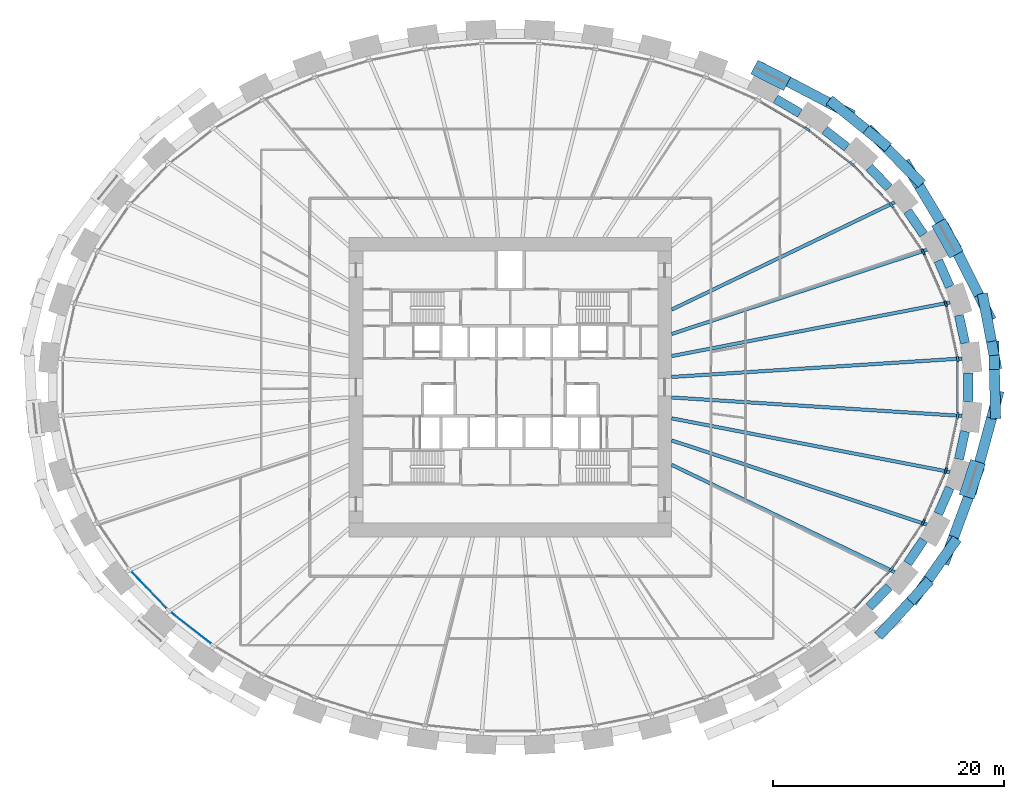
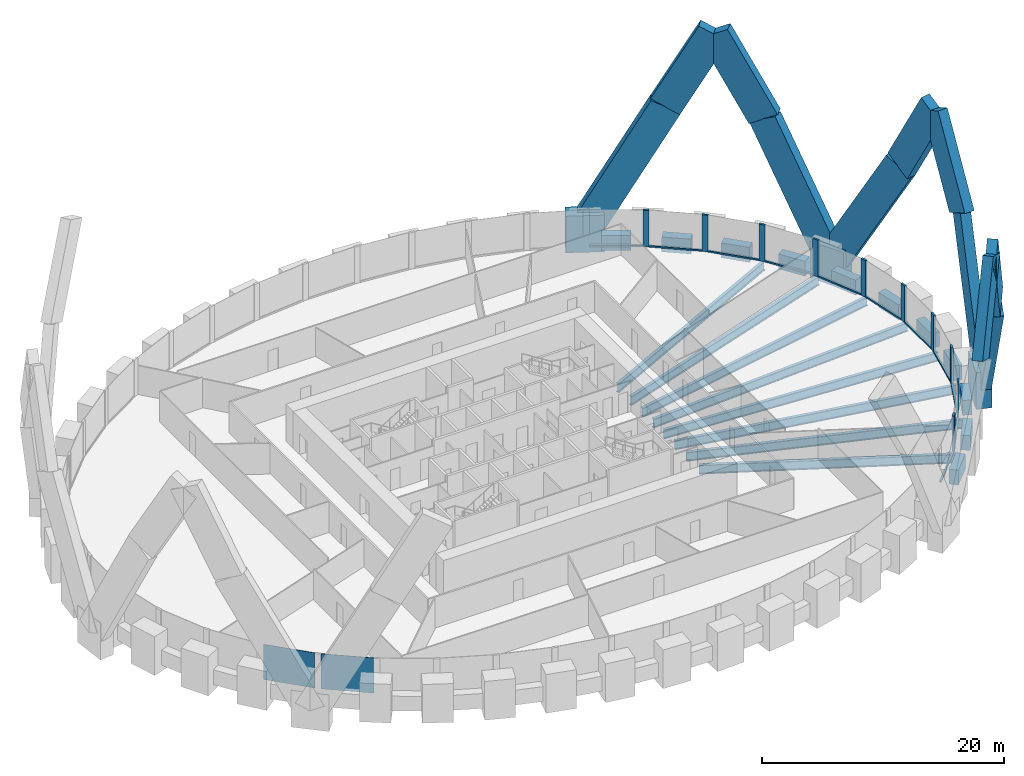
# One storey, part 4 of 12: 35 members, 19 beams, 2 plates, 1 element without a shape of its own.
"""IFC4 building model written with IfcOpenShell, lengths in metres."""

from ifc_helpers import new_model, si_unit, direction, frame, origin, origin_2d, place, context, subcontext, project, spatial, rectangle, i_section, extrude, source, transform, mapped, material, layer, layer_set, material_profile, profile_set, type_object, element, aggregate, save


model = new_model("IFC4")

# Units and contexts
model_context = context("Model", 3, precision=1e-05, world=origin(), true_north=direction((0.0, 1.0)))
body_context = subcontext(model_context, "Body", "Model", "MODEL_VIEW")
ifc_project = project(units=[si_unit("LENGTHUNIT", "METRE"), si_unit("AREAUNIT", "SQUARE_METRE"), si_unit("VOLUMEUNIT", "CUBIC_METRE"), si_unit("PLANEANGLEUNIT", "RADIAN"), si_unit("MASSUNIT", "GRAM", prefix="KILO")], contexts=[model_context])

# Site, building, storey
site_placement = place(None, origin())
site = spatial("IfcSite", under=ifc_project, at=site_placement, CompositionType="ELEMENT")
building_placement = place(site_placement, origin())
building = spatial("IfcBuilding", under=site, at=building_placement, Name="Embergate Tower", CompositionType="ELEMENT")
storey_placement = place(building_placement, frame((0.0, 0.0, 45.800048828125)))
storey = spatial("IfcBuildingStorey", under=building, at=storey_placement, Name="L07", CompositionType="ELEMENT", Elevation=45.800048828125)

# Beams
ifc_material_1 = material(Name="Concrete C70", Category="concrete")
ifc_material_profile_1 = material_profile(ifc_material_1, rectangle(XDim=0.800048828125, YDim=1.5, at=origin_2d()), Name="RC 800x1500")
ifc_profile_set_1 = profile_set([ifc_material_profile_1], Name="Concrete C70")
beam_type_1 = type_object("IfcBeamType", Name="Spandrel beam RC 800x1500 C70", PredefinedType="BEAM", material=ifc_profile_set_1)
shared_shape_1 = source(origin(), body_context, "Body", "SweptSolid", [
    extrude(rectangle(XDim=0.800048828125, YDim=1.5, at=origin_2d()), origin(), (0.0, 0.0, 1.0), 2.47412109375),
])
for number, where, z_axis, x_axis, name in (
    (1, (39.444091796875, 3.823974609375, 0.0), (-0.210175960292, 0.977663574915, 0.0), (-0.977663574915, -0.210175960292, 0.0), "SPN-L07-00"),
    (2, (38.924072265625, -6.242919921875, 0.0), (0.210175960292, 0.977663574915, 0.0), (-0.977663574915, 0.210175960292, 0.0), "SPN-L07-42"),
):
    element("IfcBeam", number, at=place(storey_placement, frame(where, z_axis=z_axis, x_axis=x_axis)), inside=storey, type_object=beam_type_1, Name=name, PredefinedType="BEAM", context=body_context, shape_type="MappedRepresentation", body=[
        mapped(shared_shape_1, transform((0.0, 0.0, 0.0))),
    ])
shared_shape_2 = source(origin(), body_context, "Body", "SweptSolid", [
    extrude(rectangle(XDim=0.800048828125, YDim=1.5, at=origin_2d()), origin(), (0.0, 0.0, 1.0), 2.470703125),
])
for number, where, z_axis, x_axis, name in (
    (3, (38.1240234375, 8.717041015625, 0.0), (-0.401466670854, 0.915873633311, 0.0), (-0.915873633311, -0.401466670854, 0.0), "SPN-L07-01"),
    (4, (37.132080078125, -10.97998046875, 0.0), (0.401466670854, 0.915873633311, 0.0), (-0.915873633311, 0.401466670854, 0.0), "SPN-L07-41"),
):
    element("IfcBeam", number, at=place(storey_placement, frame(where, z_axis=z_axis, x_axis=x_axis)), inside=storey, type_object=beam_type_1, Name=name, PredefinedType="BEAM", context=body_context, shape_type="MappedRepresentation", body=[
        mapped(shared_shape_2, transform((0.0, 0.0, 0.0))),
    ])
shared_shape_3 = source(origin(), body_context, "Body", "SweptSolid", [
    extrude(rectangle(XDim=0.800048828125, YDim=1.5, at=origin_2d()), origin(), (0.0, 0.0, 1.0), 2.46240234375),
])
for number, where, z_axis, x_axis, name in (
    (5, (35.85595703125, 13.2451171875, 0.0), (-0.562478152622, 0.826812147844, 0.0), (-0.826812147844, -0.562478152622, 0.0), "SPN-L07-02"),
    (6, (34.470947265625, -15.281005859375, 0.0), (0.562478152622, 0.826812147844, 0.0), (-0.826812147844, 0.562478152622, 0.0), "SPN-L07-40"),
):
    element("IfcBeam", number, at=place(storey_placement, frame(where, z_axis=z_axis, x_axis=x_axis)), inside=storey, type_object=beam_type_1, Name=name, PredefinedType="BEAM", context=body_context, shape_type="MappedRepresentation", body=[
        mapped(shared_shape_3, transform((0.0, 0.0, 0.0))),
    ])
shared_shape_4 = source(origin(), body_context, "Body", "SweptSolid", [
    extrude(rectangle(XDim=0.800048828125, YDim=1.5, at=origin_2d()), origin(), (0.0, 0.0, 1.0), 2.454345703125),
])
for number, where, z_axis, x_axis, name in (
    (7, (32.837890625, 17.303955078125, 0.0), (-0.690146821467, 0.723669375349, 0.0), (-0.723669375349, -0.690146821467, 0.0), "SPN-L07-03"),
    (8, (31.14404296875, -19.080078125, 0.0), (0.690146821467, 0.723669375349, 0.0), (-0.723669375349, 0.690146821467, 0.0), "SPN-L07-39"),
):
    element("IfcBeam", number, at=place(storey_placement, frame(where, z_axis=z_axis, x_axis=x_axis)), inside=storey, type_object=beam_type_1, Name=name, PredefinedType="BEAM", context=body_context, shape_type="MappedRepresentation", body=[
        mapped(shared_shape_4, transform((0.0, 0.0, 0.0))),
    ])
shared_shape_5 = source(origin(), body_context, "Body", "SweptSolid", [
    extrude(rectangle(XDim=0.800048828125, YDim=1.5, at=origin_2d()), origin(), (0.0, 0.0, 1.0), 2.446533203125),
])
beam_1_placement = place(storey_placement, frame((29.202880859375, 20.81005859375, 0.0), z_axis=(-0.788443262058, 0.615107488587, 0.0), x_axis=(-0.615107488587, -0.788443262058, 0.0)))
element("IfcBeam", 9, at=beam_1_placement, inside=storey, type_object=beam_type_1, Name="SPN-L07-04", PredefinedType="BEAM", context=body_context, shape_type="MappedRepresentation", body=[
    mapped(shared_shape_5, transform((0.0, 0.0, 0.0))),
])
shared_shape_6 = source(origin(), body_context, "Body", "SweptSolid", [
    extrude(rectangle(XDim=0.800048828125, YDim=1.5, at=origin_2d()), origin(), (0.0, 0.0, 1.0), 2.440673828125),
])
beam_2_placement = place(storey_placement, frame((25.1240234375, 23.777099609375, 0.0), z_axis=(-0.86208332714, 0.506766550857, 0.0), x_axis=(-0.506766550857, -0.86208332714, 0.0)))
element("IfcBeam", 10, at=beam_2_placement, inside=storey, type_object=beam_type_1, Name="SPN-L07-05", PredefinedType="BEAM", context=body_context, shape_type="MappedRepresentation", body=[
    mapped(shared_shape_6, transform((0.0, 0.0, 0.0))),
])
shared_shape_7 = source(origin(), body_context, "Body", "SweptSolid", [
    extrude(rectangle(XDim=0.800048828125, YDim=1.5, at=origin_2d()), origin(), (0.0, 0.0, 1.0), 2.47802734375),
])
beam_3_placement = place(storey_placement, frame((39.719970703125, -1.239013671875, 0.0), z_axis=(0.0, 1.0, 0.0), x_axis=(-1.0, 0.0, 0.0)))
element("IfcBeam", 11, at=beam_3_placement, inside=storey, type_object=beam_type_1, Name="SPN-L07-43", PredefinedType="BEAM", context=body_context, shape_type="MappedRepresentation", body=[
    mapped(shared_shape_7, transform((0.0, 0.0, 0.0))),
])
ifc_material_2 = material(Name="Steel Q355B", Category="steel")
ifc_material_profile_2 = material_profile(ifc_material_2, i_section(OverallWidth=0.300048828125, OverallDepth=0.89990234375, WebThickness=0.01611328125, FlangeThickness=0.028076171875, FilletRadius=0.028076171875, at=origin_2d()), Name="HN 900x300x16x28")
ifc_profile_set_2 = profile_set([ifc_material_profile_2], Name="Steel Q355 grade B")
beam_type_2 = type_object("IfcBeamType", Name="Radial girder HN 900x300x16x28", PredefinedType="BEAM", material=ifc_profile_set_2)
shared_shape_8 = source(origin(), body_context, "Body", "SweptSolid", [
    extrude(i_section(OverallWidth=0.300048828125, OverallDepth=0.89990234375, WebThickness=0.01611328125, FlangeThickness=0.028076171875, FilletRadius=0.028076171875, at=origin_2d()), origin(), (0.0, 0.0, 1.0), 25.250732421875),
])
for number, where, z_axis, x_axis, name in (
    (12, (39.199951171875, 2.490966796875, -0.650146484375), (-0.997987753724, -0.063406966633, 0.0), (0.063406966633, -0.997987753724, 0.0), "GIR-L07-00"),
    (13, (39.199951171875, -2.490966796875, -0.650146484375), (-0.997987753724, 0.063406966633, 0.0), (-0.063406966633, -0.997987753724, 0.0), "GIR-L07-43"),
):
    element("IfcBeam", number, at=place(storey_placement, frame(where, z_axis=z_axis, x_axis=x_axis)), inside=storey, type_object=beam_type_2, Name=name, PredefinedType="BEAM", context=body_context, shape_type="MappedRepresentation", body=[
        mapped(shared_shape_8, transform((0.0, 0.0, 0.0))),
    ])
shared_shape_9 = source(origin(), body_context, "Body", "SweptSolid", [
    extrude(i_section(OverallWidth=0.300048828125, OverallDepth=0.89990234375, WebThickness=0.01611328125, FlangeThickness=0.028076171875, FilletRadius=0.028076171875, at=origin_2d()), origin(), (0.0, 0.0, 1.0), 24.59619140625),
])
for number, where, z_axis, x_axis, name in (
    (14, (38.15087890625, 7.35888671875, -0.650146484375), (-0.981896685323, -0.18941726255, 0.0), (0.18941726255, -0.981896685323, 0.0), "GIR-L07-01"),
    (15, (38.15087890625, -7.35888671875, -0.650146484375), (-0.981896685323, 0.18941726255, 0.0), (-0.18941726255, -0.981896685323, 0.0), "GIR-L07-42"),
):
    element("IfcBeam", number, at=place(storey_placement, frame(where, z_axis=z_axis, x_axis=x_axis)), inside=storey, type_object=beam_type_2, Name=name, PredefinedType="BEAM", context=body_context, shape_type="MappedRepresentation", body=[
        mapped(shared_shape_9, transform((0.0, 0.0, 0.0))),
    ])
shared_shape_10 = source(origin(), body_context, "Body", "SweptSolid", [
    extrude(i_section(OverallWidth=0.300048828125, OverallDepth=0.89990234375, WebThickness=0.01611328125, FlangeThickness=0.028076171875, FilletRadius=0.028076171875, at=origin_2d()), origin(), (0.0, 0.0, 1.0), 23.324462890625),
])
for number, where, z_axis, x_axis, name in (
    (16, (36.15087890625, 11.922119140625, -0.650146484375), (-0.949687504939, -0.313199046873, 0.0), (0.313199046873, -0.949687504939, 0.0), "GIR-L07-02"),
    (17, (36.15087890625, -11.922119140625, -0.650146484375), (-0.949687504939, 0.313199046873, 0.0), (-0.313199046873, -0.949687504939, 0.0), "GIR-L07-41"),
):
    element("IfcBeam", number, at=place(storey_placement, frame(where, z_axis=z_axis, x_axis=x_axis)), inside=storey, type_object=beam_type_2, Name=name, PredefinedType="BEAM", context=body_context, shape_type="MappedRepresentation", body=[
        mapped(shared_shape_10, transform((0.0, 0.0, 0.0))),
    ])
shared_shape_11 = source(origin(), body_context, "Body", "SweptSolid", [
    extrude(i_section(OverallWidth=0.300048828125, OverallDepth=0.89990234375, WebThickness=0.01611328125, FlangeThickness=0.028076171875, FilletRadius=0.028076171875, at=origin_2d()), origin(), (0.0, 0.0, 1.0), 21.470458984375),
])
for number, where, z_axis, x_axis, name in (
    (18, (33.347900390625, 16.04296875, -0.650146484375), (-0.901143518966, -0.43352088557, 0.0), (0.43352088557, -0.901143518966, 0.0), "GIR-L07-03"),
    (19, (33.347900390625, -16.04296875, -0.650146484375), (-0.901143518966, 0.43352088557, 0.0), (-0.43352088557, -0.901143518966, 0.0), "GIR-L07-40"),
):
    element("IfcBeam", number, at=place(storey_placement, frame(where, z_axis=z_axis, x_axis=x_axis)), inside=storey, type_object=beam_type_2, Name=name, PredefinedType="BEAM", context=body_context, shape_type="MappedRepresentation", body=[
        mapped(shared_shape_11, transform((0.0, 0.0, 0.0))),
    ])

# Members
ifc_material_profile_3 = material_profile(ifc_material_1, rectangle(XDim=1.35009765625, YDim=3.199951171875, at=origin_2d()), Name="RC 1350x3200")
ifc_profile_set_3 = profile_set([ifc_material_profile_3], Name="Concrete C70")
member_type_1 = type_object("IfcMemberType", Name="Lattice node block RC 1350x3200", PredefinedType="POST", material=ifc_profile_set_3)
shared_shape_12 = source(origin(), body_context, "Body", "SweptSolid", [
    extrude(rectangle(XDim=1.35009765625, YDim=3.199951171875, at=origin_2d()), origin(), (0.0, 0.0, 1.0), 3.699951171875),
])
for number, where, z_axis, x_axis, name in (
    (20, (37.919921875, 12.907958984375, -1.85009765625), (0.0, 0.0, 1.0), (0.873491969053, 0.486838556403, 0.0), "NOD-L07-02"),
    (21, (22.596923828125, 27.051025390625, -1.85009765625), (0.0, 0.0, 1.0), (0.452994952881, 0.891513080478, 0.0), "NOD-L07-06"),
    (22, (40.076904296875, -7.987060546875, -1.85009765625), (0.0, 0.0, 1.0), (0.950754033697, -0.309946394413, 0.0), "NOD-L07-42"),
):
    element("IfcMember", number, at=place(storey_placement, frame(where, z_axis=z_axis, x_axis=x_axis)), inside=storey, type_object=member_type_1, Name=name, PredefinedType="POST", context=body_context, shape_type="MappedRepresentation", body=[
        mapped(shared_shape_12, transform((0.0, 0.0, 0.0))),
    ])
ifc_material_profile_4 = material_profile(ifc_material_1, rectangle(XDim=0.89990234375, YDim=2.800048828125, at=origin_2d()), Name="RC 900x2800")
ifc_profile_set_4 = profile_set([ifc_material_profile_4], Name="Concrete C70")
member_type_2 = type_object("IfcMemberType", Name="Lattice diagonal terracotta-faced RC 900x2800", PredefinedType="BRACE", material=ifc_profile_set_4)
shared_shape_13 = source(origin(), body_context, "Body", "SweptSolid", [
    extrude(rectangle(XDim=0.89990234375, YDim=2.800048828125, at=origin_2d()), origin(), (0.0, 0.0, 1.0), 14.07080078125),
])
member_1_placement = place(storey_placement, frame((38.115966796875, 13.01708984375, 0.0), z_axis=(0.217891534391, -0.43403063647, 0.874151408994), x_axis=(0.893704346302, 0.44865637341, 0.0)))
element("IfcMember", 23, at=member_1_placement, inside=storey, type_object=member_type_2, Name="BRC-L07-02-00-S00", PredefinedType="BRACE", context=body_context, shape_type="MappedRepresentation", body=[
    mapped(shared_shape_13, transform((0.0, 0.0, 0.0))),
])
shared_shape_14 = source(origin(), body_context, "Body", "SweptSolid", [
    extrude(rectangle(XDim=0.89990234375, YDim=2.800048828125, at=origin_2d()), origin(), (0.0, 0.0, 1.0), 8.869140625),
])
member_2_placement = place(storey_placement, frame((41.181884765625, 6.909912109375, 12.300048828125), z_axis=(0.088746790602, -0.467682373549, 0.87943004533), x_axis=(0.982467902173, 0.186431813808, 0.0)))
element("IfcMember", 24, at=member_2_placement, inside=storey, type_object=member_type_2, Name="BRC-L07-02-00-S01", PredefinedType="BRACE", context=body_context, shape_type="MappedRepresentation", body=[
    mapped(shared_shape_14, transform((0.0, 0.0, 0.0))),
])
shared_shape_15 = source(origin(), body_context, "Body", "SweptSolid", [
    extrude(rectangle(XDim=0.89990234375, YDim=2.800048828125, at=origin_2d()), origin(), (0.0, 0.0, 1.0), 13.869140625),
])
member_3_placement = place(storey_placement, frame((38.115966796875, 13.01708984375, 0.0), z_axis=(-0.236637648209, 0.396842902716, 0.886858688864), x_axis=(-0.858891541904, -0.512157514097, 0.0)))
element("IfcMember", 25, at=member_3_placement, inside=storey, type_object=member_type_2, Name="BRC-L07-02-04-S00", PredefinedType="BRACE", context=body_context, shape_type="MappedRepresentation", body=[
    mapped(shared_shape_15, transform((0.0, 0.0, 0.0))),
])
shared_shape_16 = source(origin(), body_context, "Body", "SweptSolid", [
    extrude(rectangle(XDim=0.89990234375, YDim=2.800048828125, at=origin_2d()), origin(), (0.0, 0.0, 1.0), 8.901123046875),
])
member_4_placement = place(storey_placement, frame((34.833984375, 18.52099609375, 12.300048828125), z_axis=(-0.338051350839, 0.343317546324, 0.876272986336), x_axis=(-0.712550619011, -0.701620706185, 0.0)))
element("IfcMember", 26, at=member_4_placement, inside=storey, type_object=member_type_2, Name="BRC-L07-02-04-S01", PredefinedType="BRACE", context=body_context, shape_type="MappedRepresentation", body=[
    mapped(shared_shape_16, transform((0.0, 0.0, 0.0))),
])
shared_shape_17 = source(origin(), body_context, "Body", "SweptSolid", [
    extrude(rectangle(XDim=0.89990234375, YDim=2.800048828125, at=origin_2d()), origin(), (0.0, 0.0, 1.0), 14.01416015625),
])
member_5_placement = place(storey_placement, frame((22.698974609375, 27.2509765625, 0.0), z_axis=(0.424708051494, -0.221996583133, 0.87769048535), x_axis=(0.463237987122, 0.88623392357, 0.0)))
element("IfcMember", 27, at=member_5_placement, inside=storey, type_object=member_type_2, Name="BRC-L07-06-04-S00", PredefinedType="BRACE", context=body_context, shape_type="MappedRepresentation", body=[
    mapped(shared_shape_17, transform((0.0, 0.0, 0.0))),
])
shared_shape_18 = source(origin(), body_context, "Body", "SweptSolid", [
    extrude(rectangle(XDim=0.89990234375, YDim=2.800048828125, at=origin_2d()), origin(), (0.0, 0.0, 1.0), 8.80224609375),
])
member_6_placement = place(storey_placement, frame((28.65087890625, 24.139892578125, 12.300048828125), z_axis=(0.360595523981, -0.2911723568, 0.886109206995), x_axis=(0.628235416254, 0.778023304127, 0.0)))
element("IfcMember", 28, at=member_6_placement, inside=storey, type_object=member_type_2, Name="BRC-L07-06-04-S01", PredefinedType="BRACE", context=body_context, shape_type="MappedRepresentation", body=[
    mapped(shared_shape_18, transform((0.0, 0.0, 0.0))),
])
shared_shape_19 = source(origin(), body_context, "Body", "SweptSolid", [
    extrude(rectangle(XDim=0.89990234375, YDim=2.800048828125, at=origin_2d()), origin(), (0.0, 0.0, 1.0), 8.8115234375),
])
member_7_placement = place(storey_placement, frame((32.778076171875, -20.68798828125, 12.300048828125), z_axis=(0.314700082581, 0.342629091495, 0.885194421404), x_axis=(-0.736486288651, 0.676452471818, 0.0)))
element("IfcMember", 29, at=member_7_placement, inside=storey, type_object=member_type_2, Name="BRC-L07-38-40-S01", PredefinedType="BRACE", context=body_context, shape_type="MappedRepresentation", body=[
    mapped(shared_shape_19, transform((0.0, 0.0, 0.0))),
])
shared_shape_20 = source(origin(), body_context, "Body", "SweptSolid", [
    extrude(rectangle(XDim=0.89990234375, YDim=2.800048828125, at=origin_2d()), origin(), (0.0, 0.0, 1.0), 14.048828125),
])
member_8_placement = place(storey_placement, frame((40.291015625, -8.056884765625, 0.0), z_axis=(0.126843022309, 0.466220660706, 0.875527922583), x_axis=(-0.964925490683, 0.262523898781, 0.0)))
element("IfcMember", 30, at=member_8_placement, inside=storey, type_object=member_type_2, Name="BRC-L07-42-00-S00", PredefinedType="BRACE", context=body_context, shape_type="MappedRepresentation", body=[
    mapped(shared_shape_20, transform((0.0, 0.0, 0.0))),
])
shared_shape_21 = source(origin(), body_context, "Body", "SweptSolid", [
    extrude(rectangle(XDim=0.89990234375, YDim=2.800048828125, at=origin_2d()), origin(), (0.0, 0.0, 1.0), 8.892333984375),
])
member_9_placement = place(storey_placement, frame((42.072998046875, -1.507080078125, 12.300048828125), z_axis=(-0.011695988217, 0.480084624336, 0.877144205553), x_axis=(-0.99970337006, -0.024355120419, 0.0)))
element("IfcMember", 31, at=member_9_placement, inside=storey, type_object=member_type_2, Name="BRC-L07-42-00-S01", PredefinedType="BRACE", context=body_context, shape_type="MappedRepresentation", body=[
    mapped(shared_shape_21, transform((0.0, 0.0, 0.0))),
])
shared_shape_22 = source(origin(), body_context, "Body", "SweptSolid", [
    extrude(rectangle(XDim=0.89990234375, YDim=2.800048828125, at=origin_2d()), origin(), (0.0, 0.0, 1.0), 13.908935546875),
])
member_10_placement = place(storey_placement, frame((40.291015625, -8.056884765625, 0.0), z_axis=(-0.161836441704, -0.437923794369, 0.88432557153), x_axis=(0.937997953607, -0.346640792507, 0.0)))
element("IfcMember", 32, at=member_10_placement, inside=storey, type_object=member_type_2, Name="BRC-L07-42-40-S00", PredefinedType="BRACE", context=body_context, shape_type="MappedRepresentation", body=[
    mapped(shared_shape_22, transform((0.0, 0.0, 0.0))),
])
shared_shape_23 = source(origin(), body_context, "Body", "SweptSolid", [
    extrude(rectangle(XDim=0.89990234375, YDim=2.800048828125, at=origin_2d()), origin(), (0.0, 0.0, 1.0), 8.912353515625),
])
member_11_placement = place(storey_placement, frame((38.0400390625, -14.14794921875, 12.300048828125), z_axis=(-0.279277671896, -0.395070385884, 0.875170481779), x_axis=(0.816573817125, -0.577241025211, 0.0)))
element("IfcMember", 33, at=member_11_placement, inside=storey, type_object=member_type_2, Name="BRC-L07-42-40-S01", PredefinedType="BRACE", context=body_context, shape_type="MappedRepresentation", body=[
    mapped(shared_shape_23, transform((0.0, 0.0, 0.0))),
])

# Curtain wall, members, plates
ifc_material_3 = material(Name="Aluminium and glass", Category="aluminium")
curtain_wall_type = type_object("IfcCurtainWallType", Name="Recessed office glazing", PredefinedType="NOTDEFINED", material=ifc_material_3)
curtain_wall_placement = place(storey_placement, origin())
curtain_wall = element("IfcCurtainWall", 34, at=curtain_wall_placement, inside=storey, type_object=curtain_wall_type, Name="Recessed office glazing ring", ObjectType="RECESSED OFFICE GLAZING", PredefinedType="USERDEFINED")
ifc_material_4 = material(Name="Aluminium, thermally broken", Category="aluminium")
ifc_material_profile_5 = material_profile(ifc_material_4, rectangle(XDim=0.179931640625, YDim=0.52001953125, at=origin_2d()), Name="AL 520x180")
ifc_profile_set_5 = profile_set([ifc_material_profile_5], Name="Aluminium, thermally broken")
member_type_3 = type_object("IfcMemberType", Name="Office mullion", PredefinedType="MULLION", material=ifc_profile_set_5)
shared_shape_24 = source(origin(), body_context, "Body", "SweptSolid", [
    extrude(rectangle(XDim=0.179931640625, YDim=0.52001953125, at=origin_2d()), origin(), (0.0, 0.0, 1.0), 3.699951171875),
])
member_12_placement = place(storey_placement, frame((38.811767578125, 2.448486328125, 0.0), z_axis=(0.0, 0.0, 1.0), x_axis=(-0.994385139431, -0.105821521816, 0.0)))
member_12 = element("IfcMember", 35, at=member_12_placement, type_object=member_type_3, Name="CW mullion 1", PredefinedType="MULLION", context=body_context, shape_type="MappedRepresentation", body=[
    mapped(shared_shape_24, transform((0.0, 0.0, 0.0))),
])
member_13_placement = place(storey_placement, frame((37.781005859375, 7.238525390625, 0.0), z_axis=(0.0, 0.0, 1.0), x_axis=(-0.95149940886, -0.307650572791, 0.0)))
member_13 = element("IfcMember", 36, at=member_13_placement, type_object=member_type_3, Name="CW mullion 2", PredefinedType="MULLION", context=body_context, shape_type="MappedRepresentation", body=[
    mapped(shared_shape_24, transform((0.0, 0.0, 0.0))),
])
member_14_placement = place(storey_placement, frame((35.81005859375, 11.732177734375, 0.0), z_axis=(0.0, 0.0, 1.0), x_axis=(-0.875004430664, -0.484114910242, 0.0)))
member_14 = element("IfcMember", 37, at=member_14_placement, type_object=member_type_3, Name="CW mullion 3", PredefinedType="MULLION", context=body_context, shape_type="MappedRepresentation", body=[
    mapped(shared_shape_24, transform((0.0, 0.0, 0.0))),
])
member_15_placement = place(storey_placement, frame((33.0458984375, 15.796875, 0.0), z_axis=(0.0, 0.0, 1.0), x_axis=(-0.777875854755, -0.628417977615, 0.0)))
member_15 = element("IfcMember", 38, at=member_15_placement, type_object=member_type_3, Name="CW mullion 4", PredefinedType="MULLION", context=body_context, shape_type="MappedRepresentation", body=[
    mapped(shared_shape_24, transform((0.0, 0.0, 0.0))),
])
member_16_placement = place(storey_placement, frame((29.647216796875, 19.360595703125, 0.0), z_axis=(0.0, 0.0, 1.0), x_axis=(-0.671229121411, -0.741249935292, 0.0)))
member_16 = element("IfcMember", 39, at=member_16_placement, type_object=member_type_3, Name="CW mullion 5", PredefinedType="MULLION", context=body_context, shape_type="MappedRepresentation", body=[
    mapped(shared_shape_24, transform((0.0, 0.0, 0.0))),
])
member_17_placement = place(storey_placement, frame((25.759521484375, 22.39501953125, 0.0), z_axis=(0.0, 0.0, 1.0), x_axis=(-0.562217618544, -0.826989328467, 0.0)))
member_17 = element("IfcMember", 40, at=member_17_placement, type_object=member_type_3, Name="CW mullion 6", PredefinedType="MULLION", context=body_context, shape_type="MappedRepresentation", body=[
    mapped(shared_shape_24, transform((0.0, 0.0, 0.0))),
])
member_18_placement = place(storey_placement, frame((33.0458984375, -15.796875, 0.0), z_axis=(0.0, 0.0, 1.0), x_axis=(-0.777875854755, 0.628417977615, 0.0)))
member_18 = element("IfcMember", 41, at=member_18_placement, type_object=member_type_3, Name="CW mullion 41", PredefinedType="MULLION", context=body_context, shape_type="MappedRepresentation", body=[
    mapped(shared_shape_24, transform((0.0, 0.0, 0.0))),
])
member_19_placement = place(storey_placement, frame((35.81005859375, -11.732177734375, 0.0), z_axis=(0.0, 0.0, 1.0), x_axis=(-0.875004430664, 0.484114910242, 0.0)))
member_19 = element("IfcMember", 42, at=member_19_placement, type_object=member_type_3, Name="CW mullion 42", PredefinedType="MULLION", context=body_context, shape_type="MappedRepresentation", body=[
    mapped(shared_shape_24, transform((0.0, 0.0, 0.0))),
])
member_20_placement = place(storey_placement, frame((37.781005859375, -7.238525390625, 0.0), z_axis=(0.0, 0.0, 1.0), x_axis=(-0.95149940886, 0.307650572791, 0.0)))
member_20 = element("IfcMember", 43, at=member_20_placement, type_object=member_type_3, Name="CW mullion 43", PredefinedType="MULLION", context=body_context, shape_type="MappedRepresentation", body=[
    mapped(shared_shape_24, transform((0.0, 0.0, 0.0))),
])
member_21_placement = place(storey_placement, frame((38.811767578125, -2.448486328125, 0.0), z_axis=(0.0, 0.0, 1.0), x_axis=(-0.994385139431, 0.105821521816, 0.0)))
member_21 = element("IfcMember", 44, at=member_21_placement, type_object=member_type_3, Name="CW mullion 44", PredefinedType="MULLION", context=body_context, shape_type="MappedRepresentation", body=[
    mapped(shared_shape_24, transform((0.0, 0.0, 0.0))),
])
ifc_material_profile_6 = material_profile(ifc_material_4, rectangle(XDim=0.179931640625, YDim=0.14990234375, at=origin_2d()), Name="AL 150x180")
ifc_profile_set_6 = profile_set([ifc_material_profile_6], Name="Aluminium, thermally broken")
member_type_4 = type_object("IfcMemberType", Name="Office sill transom", PredefinedType="USERDEFINED", material=ifc_profile_set_6)
shared_shape_25 = source(origin(), body_context, "Body", "SweptSolid", [
    extrude(rectangle(XDim=0.179931640625, YDim=0.14990234375, at=origin_2d()), origin(), (0.0, 0.0, 1.0), 4.379638671875),
])
member_22_placement = place(storey_placement, frame((38.757080078125, 2.70263671875, 0.074951171875), z_axis=(-0.210374128921, 0.977620952047, 0.0), x_axis=(-0.977620952047, -0.210374128921, 0.0)))
member_22 = element("IfcMember", 45, at=member_22_placement, type_object=member_type_4, Name="CW transom 1.1", ObjectType="TRANSOM", PredefinedType="USERDEFINED", context=body_context, shape_type="MappedRepresentation", body=[
    mapped(shared_shape_25, transform((0.0, 0.0, 0.0))),
])
member_23_placement = place(storey_placement, frame((37.835693359375, -6.984375, 0.074951171875), z_axis=(0.210374128921, 0.977620952047, 0.0), x_axis=(-0.977620952047, 0.210374128921, 0.0)))
member_23 = element("IfcMember", 46, at=member_23_placement, type_object=member_type_4, Name="CW transom 43.1", ObjectType="TRANSOM", PredefinedType="USERDEFINED", context=body_context, shape_type="MappedRepresentation", body=[
    mapped(shared_shape_25, transform((0.0, 0.0, 0.0))),
])
shared_shape_26 = source(origin(), body_context, "Body", "SweptSolid", [
    extrude(rectangle(XDim=0.179931640625, YDim=0.14990234375, at=origin_2d()), origin(), (0.0, 0.0, 1.0), 4.38671875),
])
member_24_placement = place(storey_placement, frame((37.676513671875, 7.4765625, 0.074951171875), z_axis=(-0.401656581877, 0.915790363694, 0.0), x_axis=(-0.915790363694, -0.401656581877, 0.0)))
member_24 = element("IfcMember", 47, at=member_24_placement, type_object=member_type_4, Name="CW transom 2.1", ObjectType="TRANSOM", PredefinedType="USERDEFINED", context=body_context, shape_type="MappedRepresentation", body=[
    mapped(shared_shape_26, transform((0.0, 0.0, 0.0))),
])
member_25_placement = place(storey_placement, frame((35.91455078125, -11.493896484375, 0.074951171875), z_axis=(0.401656581877, 0.915790363694, 0.0), x_axis=(-0.915790363694, 0.401656581877, 0.0)))
member_25 = element("IfcMember", 48, at=member_25_placement, type_object=member_type_4, Name="CW transom 42.1", ObjectType="TRANSOM", PredefinedType="USERDEFINED", context=body_context, shape_type="MappedRepresentation", body=[
    mapped(shared_shape_26, transform((0.0, 0.0, 0.0))),
])
shared_shape_27 = source(origin(), body_context, "Body", "SweptSolid", [
    extrude(rectangle(XDim=0.179931640625, YDim=0.14990234375, at=origin_2d()), origin(), (0.0, 0.0, 1.0), 4.395751953125),
])
member_26_placement = place(storey_placement, frame((35.663818359375, 11.947021484375, 0.074951171875), z_axis=(-0.562354076768, 0.826896542708, 0.0), x_axis=(-0.826896542708, -0.562354076768, 0.0)))
member_26 = element("IfcMember", 49, at=member_26_placement, type_object=member_type_4, Name="CW transom 3.1", ObjectType="TRANSOM", PredefinedType="USERDEFINED", context=body_context, shape_type="MappedRepresentation", body=[
    mapped(shared_shape_27, transform((0.0, 0.0, 0.0))),
])
member_27_placement = place(storey_placement, frame((33.19189453125, -15.581787109375, 0.074951171875), z_axis=(0.562354076768, 0.826896542708, 0.0), x_axis=(-0.826896542708, 0.562354076768, 0.0)))
member_27 = element("IfcMember", 50, at=member_27_placement, type_object=member_type_4, Name="CW transom 41.1", ObjectType="TRANSOM", PredefinedType="USERDEFINED", context=body_context, shape_type="MappedRepresentation", body=[
    mapped(shared_shape_27, transform((0.0, 0.0, 0.0))),
])
shared_shape_28 = source(origin(), body_context, "Body", "SweptSolid", [
    extrude(rectangle(XDim=0.179931640625, YDim=0.14990234375, at=origin_2d()), origin(), (0.0, 0.0, 1.0), 4.404296875),
])
member_28_placement = place(storey_placement, frame((32.866455078125, 15.985107421875, 0.074951171875), z_axis=(-0.690139479121, 0.723676377504, 0.0), x_axis=(-0.723676377504, -0.690139479121, 0.0)))
member_28 = element("IfcMember", 51, at=member_28_placement, type_object=member_type_4, Name="CW transom 4.1", ObjectType="TRANSOM", PredefinedType="USERDEFINED", context=body_context, shape_type="MappedRepresentation", body=[
    mapped(shared_shape_28, transform((0.0, 0.0, 0.0))),
])
member_29_placement = place(storey_placement, frame((29.826904296875, -19.17236328125, 0.074951171875), z_axis=(0.690139479121, 0.723676377504, 0.0), x_axis=(-0.723676377504, 0.690139479121, 0.0)))
member_29 = element("IfcMember", 52, at=member_29_placement, type_object=member_type_4, Name="CW transom 40.1", ObjectType="TRANSOM", PredefinedType="USERDEFINED", context=body_context, shape_type="MappedRepresentation", body=[
    mapped(shared_shape_28, transform((0.0, 0.0, 0.0))),
])
shared_shape_29 = source(origin(), body_context, "Body", "SweptSolid", [
    extrude(rectangle(XDim=0.179931640625, YDim=0.14990234375, at=origin_2d()), origin(), (0.0, 0.0, 1.0), 4.412109375),
])
member_30_placement = place(storey_placement, frame((29.4423828125, 19.5205078125, 0.074951171875), z_axis=(-0.788311201142, 0.615276726485, 0.0), x_axis=(-0.615276726485, -0.788311201142, 0.0)))
member_30 = element("IfcMember", 53, at=member_30_placement, type_object=member_type_4, Name="CW transom 5.1", ObjectType="TRANSOM", PredefinedType="USERDEFINED", context=body_context, shape_type="MappedRepresentation", body=[
    mapped(shared_shape_29, transform((0.0, 0.0, 0.0))),
])
shared_shape_30 = source(origin(), body_context, "Body", "SweptSolid", [
    extrude(rectangle(XDim=0.179931640625, YDim=0.14990234375, at=origin_2d()), origin(), (0.0, 0.0, 1.0), 4.417724609375),
])
member_31_placement = place(storey_placement, frame((25.53515625, 22.52685546875, 0.074951171875), z_axis=(-0.862052105816, 0.506819659109, 0.0), x_axis=(-0.506819659109, -0.862052105816, 0.0)))
member_31 = element("IfcMember", 54, at=member_31_placement, type_object=member_type_4, Name="CW transom 6.1", ObjectType="TRANSOM", PredefinedType="USERDEFINED", context=body_context, shape_type="MappedRepresentation", body=[
    mapped(shared_shape_30, transform((0.0, 0.0, 0.0))),
])
shared_shape_31 = source(origin(), body_context, "Body", "SweptSolid", [
    extrude(rectangle(XDim=0.179931640625, YDim=0.14990234375, at=origin_2d()), origin(), (0.0, 0.0, 1.0), 4.376953125),
])
member_32_placement = place(storey_placement, frame((38.811767578125, -2.1884765625, 0.074951171875), z_axis=(0.0, 1.0, 0.0), x_axis=(-1.0, 0.0, 0.0)))
member_32 = element("IfcMember", 55, at=member_32_placement, type_object=member_type_4, Name="CW transom 44.1", ObjectType="TRANSOM", PredefinedType="USERDEFINED", context=body_context, shape_type="MappedRepresentation", body=[
    mapped(shared_shape_31, transform((0.0, 0.0, 0.0))),
])
ifc_material_5 = material(Name="Triple glazing, low-emissivity coating", Category="glass")
ifc_layer = layer(ifc_material_5, 0.035888671875)
ifc_layer_set = layer_set([ifc_layer], Name="Triple glazing, low-emissivity coating")
plate_type = type_object("IfcPlateType", Name="Office glazing unit", PredefinedType="CURTAIN_PANEL", material=ifc_layer_set)
shared_shape_32 = source(origin(), body_context, "Body", "SweptSolid", [
    extrude(rectangle(XDim=4.404296875, YDim=0.035888671875, at=origin_2d()), origin(), (0.0, 0.0, 1.0), 3.550048828125),
])
plate_1_placement = place(storey_placement, frame((-31.3466796875, -17.57861328125, 0.14990234375), z_axis=(0.0, 0.0, 1.0), x_axis=(0.690135047526, -0.723680603703, 0.0)))
plate_1 = element("IfcPlate", 56, at=plate_1_placement, type_object=plate_type, Name="CW panel 26.1", PredefinedType="CURTAIN_PANEL", context=body_context, shape_type="MappedRepresentation", body=[
    mapped(shared_shape_32, transform((0.0, 0.0, 0.0))),
])
shared_shape_33 = source(origin(), body_context, "Body", "SweptSolid", [
    extrude(rectangle(XDim=4.411865234375, YDim=0.035888671875, at=origin_2d()), origin(), (0.0, 0.0, 1.0), 3.550048828125),
])
plate_2_placement = place(storey_placement, frame((-27.703369140625, -20.877685546875, 0.14990234375), z_axis=(0.0, 0.0, 1.0), x_axis=(0.788320119254, -0.615265300158, 0.0)))
plate_2 = element("IfcPlate", 57, at=plate_2_placement, type_object=plate_type, Name="CW panel 27.1", PredefinedType="CURTAIN_PANEL", context=body_context, shape_type="MappedRepresentation", body=[
    mapped(shared_shape_33, transform((0.0, 0.0, 0.0))),
])
aggregate(curtain_wall, [member_12, member_13, member_14, member_15, member_16, member_17, member_18, member_19, member_20, member_21, member_22, member_24, member_26, member_28, member_30, member_31, plate_1, plate_2, member_29, member_27, member_25, member_23, member_32])

save(model, "model.ifc")
